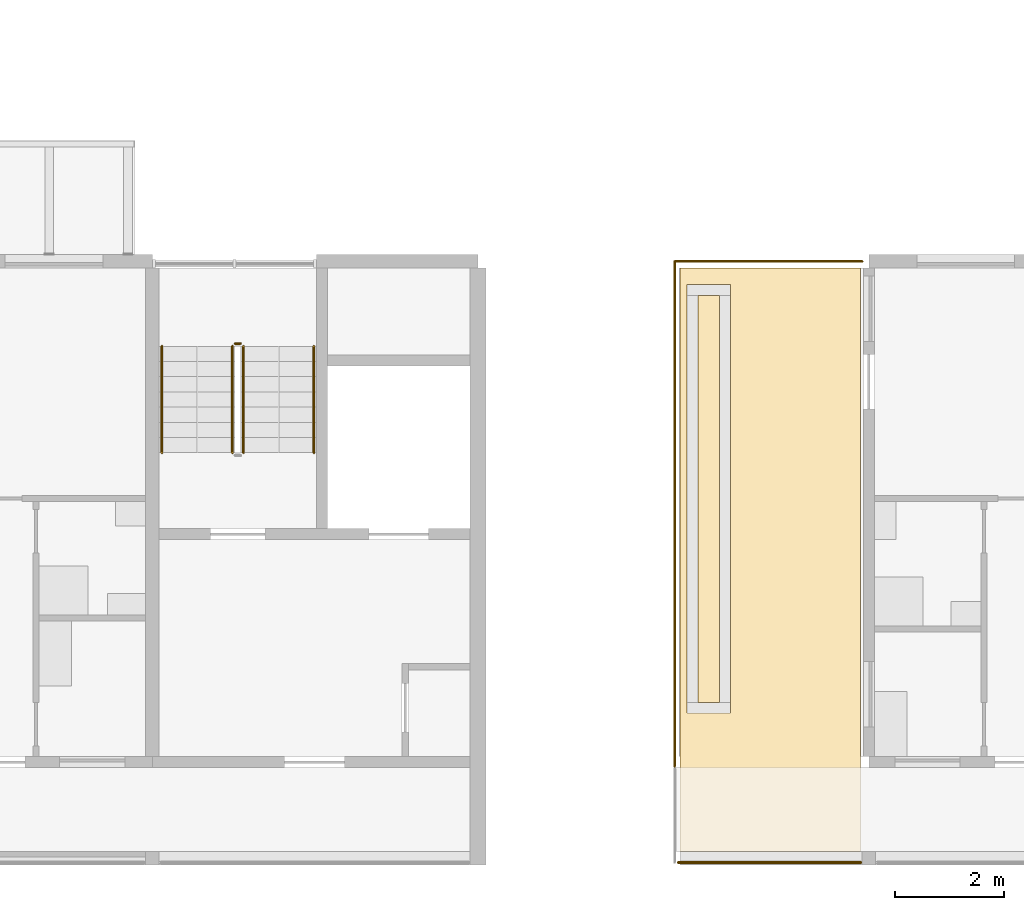
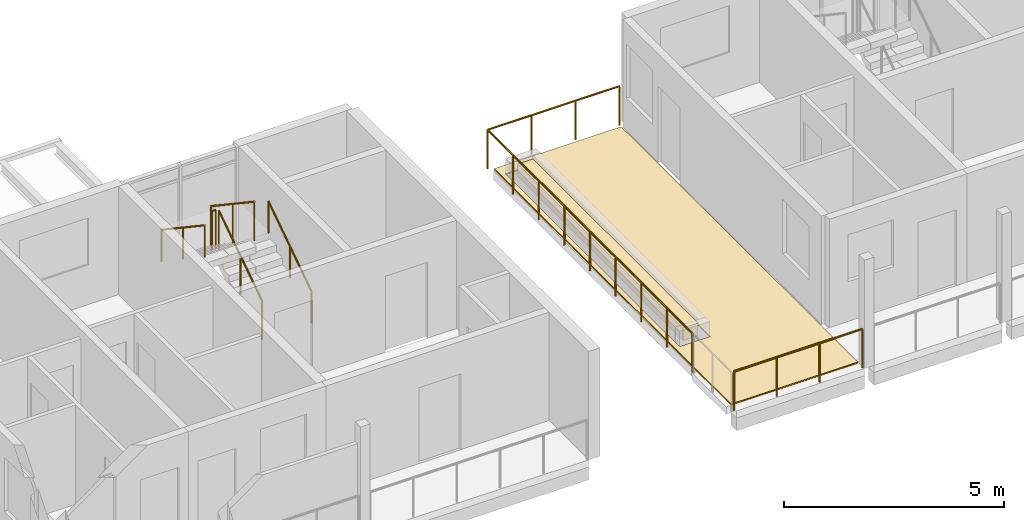
# One storey, part 49 of 55: 7 railings, 3 coverings.
"""IFC4 building model written with IfcOpenShell, lengths in metres."""

from ifc_helpers import new_model, si_unit, direction, frame, origin, origin_2d, place, context, subcontext, project, spatial, polyline, circle, outline, extrude, material, layer, layer_set, type_object, element, save


model = new_model("IFC4")

# Units and contexts
model_context = context("Model", 3, precision=1e-05, world=origin(), true_north=direction((0.0, 1.0)))
body_context = subcontext(model_context, "Body", "Model", "MODEL_VIEW")
ifc_project = project(units=[si_unit("LENGTHUNIT", "METRE"), si_unit("AREAUNIT", "SQUARE_METRE"), si_unit("VOLUMEUNIT", "CUBIC_METRE"), si_unit("PLANEANGLEUNIT", "RADIAN"), si_unit("MASSUNIT", "GRAM", prefix="KILO")], contexts=[model_context])

# Site, building, storey
site_placement = place(None, origin())
site = spatial("IfcSite", under=ifc_project, at=site_placement, CompositionType="ELEMENT")
building_placement = place(site_placement, origin())
building = spatial("IfcBuilding", under=site, at=building_placement, Name="Ridgestep Commons", CompositionType="ELEMENT")
storey_placement = place(building_placement, frame((0.0, 0.0, 36.0)))
storey = spatial("IfcBuildingStorey", under=building, at=storey_placement, Name="L12", CompositionType="ELEMENT", Elevation=36.0)

# Railings
ifc_material_1 = material(Name="Structural steel S355JR", Category="steel")
railing_type_1 = type_object("IfcRailingType", Name="Guard 1100", PredefinedType="GUARDRAIL", material=ifc_material_1)
railing_1_placement = place(storey_placement, frame((200.821044921875, 13.571044921875, 0.0)))
element("IfcRailing", 1, at=railing_1_placement, inside=storey, type_object=railing_type_1, Name="Guard TD-D4R2-GD", PredefinedType="GUARDRAIL", context=body_context, shape_type="SweptSolid", body=[
    extrude(circle(Radius=0.02392578125, at=origin_2d()), frame((0.0, 0.0, 1.076171875), z_axis=(0.0, 1.0, 0.0), x_axis=(-1.0, 0.0, 0.0)), (0.0, 0.0, 1.0), 9.303955078125),
    extrude(circle(Radius=0.02392578125, at=origin_2d()), frame((0.0, 9.303955078125, 1.076171875), z_axis=(1.0, 0.0, 0.0), x_axis=(0.0, 1.0, 0.0)), (0.0, 0.0, 1.0), 3.4580078125),
    extrude(circle(Radius=0.02099609375, at=origin_2d()), origin(), (0.0, 0.0, 1.0), 1.052001953125),
    extrude(circle(Radius=0.02099609375, at=origin_2d()), frame((0.0, 1.1630859375, 0.0)), (0.0, 0.0, 1.0), 1.052001953125),
    extrude(circle(Radius=0.02099609375, at=origin_2d()), frame((0.0, 2.325927734375, 0.0)), (0.0, 0.0, 1.0), 1.052001953125),
    extrude(circle(Radius=0.02099609375, at=origin_2d()), frame((0.0, 3.489013671875, 0.0)), (0.0, 0.0, 1.0), 1.052001953125),
    extrude(circle(Radius=0.02099609375, at=origin_2d()), frame((0.0, 4.65185546875, 0.0)), (0.0, 0.0, 1.0), 1.052001953125),
    extrude(circle(Radius=0.02099609375, at=origin_2d()), frame((0.0, 5.81494140625, 0.0)), (0.0, 0.0, 1.0), 1.052001953125),
    extrude(circle(Radius=0.02099609375, at=origin_2d()), frame((0.0, 6.97802734375, 0.0)), (0.0, 0.0, 1.0), 1.052001953125),
    extrude(circle(Radius=0.02099609375, at=origin_2d()), frame((0.0, 8.140869140625, 0.0)), (0.0, 0.0, 1.0), 1.052001953125),
    extrude(circle(Radius=0.02099609375, at=origin_2d()), frame((0.0, 9.303955078125, 0.0)), (0.0, 0.0, 1.0), 1.052001953125),
    extrude(circle(Radius=0.02099609375, at=origin_2d()), frame((1.152587890625, 9.303955078125, 0.0)), (0.0, 0.0, 1.0), 1.052001953125),
    extrude(circle(Radius=0.02099609375, at=origin_2d()), frame((2.305419921875, 9.303955078125, 0.0)), (0.0, 0.0, 1.0), 1.052001953125),
    extrude(circle(Radius=0.02099609375, at=origin_2d()), frame((3.4580078125, 9.303955078125, 0.0)), (0.0, 0.0, 1.0), 1.052001953125),
])
railing_2_placement = place(storey_placement, frame((200.884033203125, 11.800048828125, 0.0)))
element("IfcRailing", 2, at=railing_2_placement, inside=storey, type_object=railing_type_1, Name="Gallery guard D 12.1", PredefinedType="GUARDRAIL", context=body_context, shape_type="SweptSolid", body=[
    extrude(circle(Radius=0.02392578125, at=origin_2d()), frame((0.0, 0.0, 1.076171875), z_axis=(1.0, 0.0, 0.0), x_axis=(0.0, 1.0, 0.0)), (0.0, 0.0, 1.0), 3.369873046875),
    extrude(circle(Radius=0.02099609375, at=origin_2d()), origin(), (0.0, 0.0, 1.0), 1.052001953125),
    extrude(circle(Radius=0.02099609375, at=origin_2d()), frame((1.123291015625, 0.0, 0.0)), (0.0, 0.0, 1.0), 1.052001953125),
    extrude(circle(Radius=0.02099609375, at=origin_2d()), frame((2.24658203125, 0.0, 0.0)), (0.0, 0.0, 1.0), 1.052001953125),
    extrude(circle(Radius=0.02099609375, at=origin_2d()), frame((3.369873046875, 0.0, 0.0)), (0.0, 0.0, 1.0), 1.052001953125),
])

# Covering
ifc_material_2 = material(Name="Planting soil")
ifc_layer_1 = layer(ifc_material_2, 0.35009765625)
ifc_layer_set_1 = layer_set([ifc_layer_1], Name="Planting soil 350")
covering_type_1 = type_object("IfcCoveringType", Name="Planting soil 350", PredefinedType="FLOORING", material=ifc_layer_set_1)
covering_1_placement = place(storey_placement, frame((0.0, 0.0, 0.010009765625)))
element("IfcCovering", 3, at=covering_1_placement, inside=storey, type_object=covering_type_1, Name="Planting soil D4R2", PredefinedType="FLOORING", context=body_context, shape_type="SweptSolid", body=[
    extrude(outline(polyline([(201.25, 14.75), (201.64990234375, 14.75), (201.64990234375, 22.25), (201.25, 22.25), (201.25, 14.75)])), origin(), (0.0, 0.0, 1.0), 0.35009765625),
])

# Railings
ifc_material_3 = material(Name="Structural steel S355JR", Category="steel")
railing_type_2 = type_object("IfcRailingType", Name="Stair guard 1100", PredefinedType="GUARDRAIL", material=ifc_material_3)
railing_3_placement = place(storey_placement, frame((192.875, 19.35009765625, 0.1875)))
element("IfcRailing", 4, at=railing_3_placement, inside=storey, type_object=railing_type_2, Name="L12 D3C stair guard 1", PredefinedType="GUARDRAIL", context=body_context, shape_type="SweptSolid", body=[
    extrude(circle(Radius=0.02392578125, at=origin_2d()), frame((0.0, 0.0, 1.076171875), z_axis=(0.0, 0.830902050051, 0.556418712142), x_axis=(-1.0, 0.0, 0.0)), (0.0, 0.0, 1.0), 2.35888671875),
    extrude(circle(Radius=0.02099609375, at=origin_2d()), origin(), (0.0, 0.0, 1.0), 1.052001953125),
    extrude(circle(Radius=0.02099609375, at=origin_2d()), frame((0.0, 0.97998046875, 0.65625)), (0.0, 0.0, 1.0), 1.052001953125),
    extrude(circle(Radius=0.02099609375, at=origin_2d()), frame((0.0, 1.9599609375, 1.3125)), (0.0, 0.0, 1.0), 1.052001953125),
])
railing_4_placement = place(storey_placement, frame((192.824951171875, 21.360107421875, 1.5)))
element("IfcRailing", 5, at=railing_4_placement, inside=storey, type_object=railing_type_2, Name="L12 D3C stair guard 2", PredefinedType="GUARDRAIL", context=body_context, shape_type="SweptSolid", body=[
    extrude(circle(Radius=0.02392578125, at=origin_2d()), frame((0.0, 0.0, 1.076171875), z_axis=(-1.0, 0.0, 0.0), x_axis=(0.0, -1.0, 0.0)), (0.0, 0.0, 1.0), 0.099853515625),
    extrude(circle(Radius=0.02099609375, at=origin_2d()), origin(), (0.0, 0.0, 1.0), 1.052001953125),
    extrude(circle(Radius=0.02099609375, at=origin_2d()), frame((-0.099853515625, 0.0, 0.0)), (0.0, 0.0, 1.0), 1.052001953125),
])
railing_5_placement = place(storey_placement, frame((192.675048828125, 21.31005859375, 1.6875)))
element("IfcRailing", 6, at=railing_5_placement, inside=storey, type_object=railing_type_2, Name="L12 D3C stair guard 3", PredefinedType="GUARDRAIL", context=body_context, shape_type="SweptSolid", body=[
    extrude(circle(Radius=0.02392578125, at=origin_2d()), frame((0.0, 0.0, 1.076171875), z_axis=(0.0, -0.830902050051, 0.556418712142), x_axis=(1.0, 0.0, 0.0)), (0.0, 0.0, 1.0), 2.35888671875),
    extrude(circle(Radius=0.02099609375, at=origin_2d()), origin(), (0.0, 0.0, 1.0), 1.052001953125),
    extrude(circle(Radius=0.02099609375, at=origin_2d()), frame((0.0, -0.97998046875, 0.65625)), (0.0, 0.0, 1.0), 1.052001953125),
    extrude(circle(Radius=0.02099609375, at=origin_2d()), frame((0.0, -1.9599609375, 1.3125)), (0.0, 0.0, 1.0), 1.052001953125),
])
ifc_material_4 = material(Name="Structural steel S355JR", Category="steel")
railing_type_3 = type_object("IfcRailingType", Name="Stair handrail 900", PredefinedType="HANDRAIL", material=ifc_material_4)
railing_6_placement = place(storey_placement, frame((194.175048828125, 19.35009765625, 0.1875)))
element("IfcRailing", 7, at=railing_6_placement, inside=storey, type_object=railing_type_3, Name="L12 D3C stair handrail 1", PredefinedType="HANDRAIL", context=body_context, shape_type="SweptSolid", body=[
    extrude(circle(Radius=0.02392578125, at=origin_2d()), frame((0.0, 0.0, 0.8759765625), z_axis=(0.0, 0.830902050051, 0.556418712142), x_axis=(-1.0, 0.0, 0.0)), (0.0, 0.0, 1.0), 2.35888671875),
    extrude(circle(Radius=0.02099609375, at=origin_2d()), origin(), (0.0, 0.0, 1.0), 0.851806640625),
    extrude(circle(Radius=0.02099609375, at=origin_2d()), frame((0.0, 0.97998046875, 0.65625)), (0.0, 0.0, 1.0), 0.851806640625),
    extrude(circle(Radius=0.02099609375, at=origin_2d()), frame((0.0, 1.9599609375, 1.3125)), (0.0, 0.0, 1.0), 0.851806640625),
])
railing_7_placement = place(storey_placement, frame((191.375, 21.31005859375, 1.6875)))
element("IfcRailing", 8, at=railing_7_placement, inside=storey, type_object=railing_type_3, Name="L12 D3C stair handrail 2", PredefinedType="HANDRAIL", context=body_context, shape_type="SweptSolid", body=[
    extrude(circle(Radius=0.02392578125, at=origin_2d()), frame((0.0, 0.0, 0.8759765625), z_axis=(0.0, -0.830902050051, 0.556418712142), x_axis=(1.0, 0.0, 0.0)), (0.0, 0.0, 1.0), 2.35888671875),
    extrude(circle(Radius=0.02099609375, at=origin_2d()), origin(), (0.0, 0.0, 1.0), 0.851806640625),
    extrude(circle(Radius=0.02099609375, at=origin_2d()), frame((0.0, -0.97998046875, 0.65625)), (0.0, 0.0, 1.0), 0.851806640625),
    extrude(circle(Radius=0.02099609375, at=origin_2d()), frame((0.0, -1.9599609375, 1.3125)), (0.0, 0.0, 1.0), 0.851806640625),
])

# Coverings
ifc_material_5 = material(Name="Bitumen membrane, two layer")
ifc_layer_2 = layer(ifc_material_5, 0.010009765625)
ifc_layer_set_2 = layer_set([ifc_layer_2], Name="Terrace membrane 10")
covering_type_2 = type_object("IfcCoveringType", Name="Terrace membrane 10", PredefinedType="ROOFING", material=ifc_layer_set_2)
covering_2_placement = place(storey_placement, origin())
element("IfcCovering", 9, at=covering_2_placement, inside=storey, type_object=covering_type_2, Name="Terrace membrane D4R2", PredefinedType="ROOFING", context=body_context, shape_type="SweptSolid", body=[
    extrude(outline(polyline([(204.25, 12.0), (204.25, 22.75), (200.925048828125, 22.75), (200.925048828125, 12.0), (204.25, 12.0)]), holes=[polyline([(201.85009765625, 14.550048828125), (201.85009765625, 22.449951171875), (201.050048828125, 22.449951171875), (201.050048828125, 14.550048828125), (201.85009765625, 14.550048828125)])]), origin(), (0.0, 0.0, 1.0), 0.010009765625),
])
ifc_material_6 = material(Name="Concrete paving slab", Category="concrete")
ifc_layer_3 = layer(ifc_material_6, 0.030029296875)
ifc_layer_set_3 = layer_set([ifc_layer_3], Name="Terrace paving 30")
covering_type_3 = type_object("IfcCoveringType", Name="Terrace paving 30", PredefinedType="FLOORING", material=ifc_layer_set_3)
covering_3_placement = place(storey_placement, frame((0.0, 0.0, 0.010009765625)))
element("IfcCovering", 10, at=covering_3_placement, inside=storey, type_object=covering_type_3, Name="Terrace paving D4R2", PredefinedType="FLOORING", context=body_context, shape_type="SweptSolid", body=[
    extrude(outline(polyline([(204.25, 12.0), (204.25, 22.75), (200.925048828125, 22.75), (200.925048828125, 12.0), (204.25, 12.0)]), holes=[polyline([(201.85009765625, 14.550048828125), (201.85009765625, 22.449951171875), (201.050048828125, 22.449951171875), (201.050048828125, 14.550048828125), (201.85009765625, 14.550048828125)])]), origin(), (0.0, 0.0, 1.0), 0.030029296875),
])

save(model, "model.ifc")
